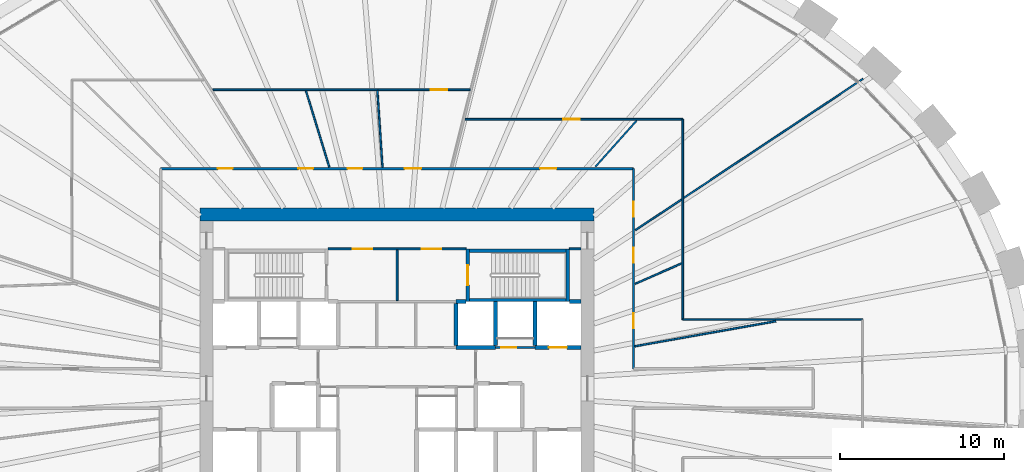
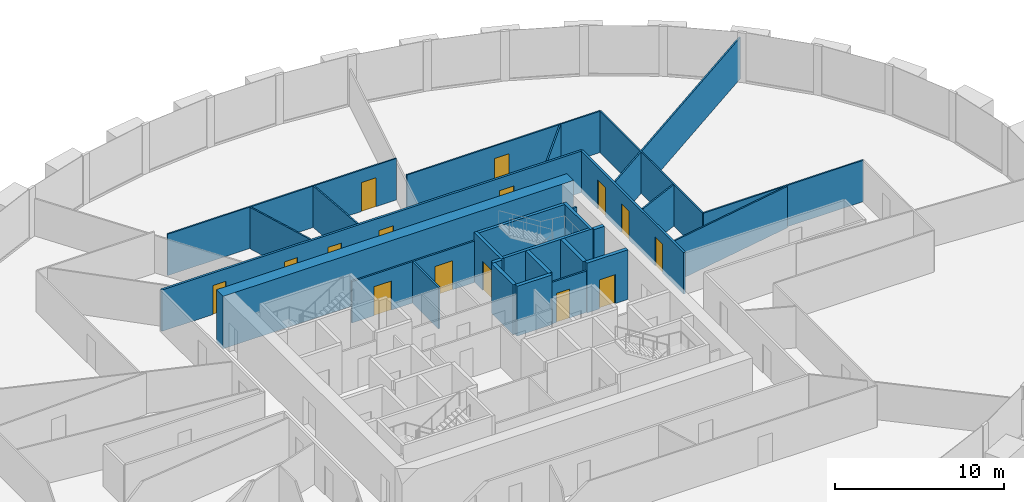
# One storey, part 9 of 11: 28 walls, 15 doors, 15 openings.
"""IFC4 building model written with IfcOpenShell, lengths in metres."""

from ifc_helpers import new_model, si_unit, direction, frame, frame_2d, origin, place, context, subcontext, project, spatial, rectangle, extrude, source, transform, mapped, material, layer, layer_set, type_object, element, fill, save


model = new_model("IFC4")

# Units and contexts
model_context = context("Model", 3, precision=1e-05, world=origin(), true_north=direction((0.0, 1.0)))
body_context = subcontext(model_context, "Body", "Model", "MODEL_VIEW")
ifc_project = project(units=[si_unit("LENGTHUNIT", "METRE"), si_unit("AREAUNIT", "SQUARE_METRE"), si_unit("VOLUMEUNIT", "CUBIC_METRE"), si_unit("PLANEANGLEUNIT", "RADIAN"), si_unit("MASSUNIT", "GRAM", prefix="KILO")], contexts=[model_context])

# Site, building, storey
site_placement = place(None, origin())
site = spatial("IfcSite", under=ifc_project, at=site_placement, CompositionType="ELEMENT")
building_placement = place(site_placement, origin())
building = spatial("IfcBuilding", under=site, at=building_placement, Name="Embergate Tower", CompositionType="ELEMENT")
storey_placement = place(building_placement, frame((0.0, 0.0, 143.699951171875)))
storey = spatial("IfcBuildingStorey", under=building, at=storey_placement, Name="L31", CompositionType="ELEMENT", Elevation=143.699951171875)

# Walls
ifc_material_1 = material(Name="Concrete C70", Category="concrete")
ifc_layer_1 = layer(ifc_material_1, 0.800048828125)
ifc_layer_set_1 = layer_set([ifc_layer_1], Name="Concrete C70")
wall_type_1 = type_object("IfcWallType", Name="Core outer wall C70 800", PredefinedType="SHEAR", material=ifc_layer_set_1)
shared_shape_1 = source(origin(), body_context, "Body", "SweptSolid", [
    extrude(rectangle(XDim=24.0, YDim=0.800048828125, at=frame_2d((12.0, 0.0))), origin(), (0.0, 0.0, 1.0), 3.800048828125),
])
wall_1_placement = place(storey_placement, frame((-12.0, 10.60009765625, -0.199951171875), z_axis=(0.0, 0.0, 1.0), x_axis=(1.0, 0.0, 0.0)))
element("IfcWall", 1, at=wall_1_placement, inside=storey, type_object=wall_type_1, Name="CW-L31-N", PredefinedType="SHEAR", context=body_context, shape_type="MappedRepresentation", body=[
    mapped(shared_shape_1, transform((0.0, 0.0, 0.0))),
])
ifc_material_2 = material(Name="Concrete C50", Category="concrete")
ifc_layer_2 = layer(ifc_material_2, 0.25)
ifc_layer_set_2 = layer_set([ifc_layer_2], Name="Concrete C50")
wall_type_2 = type_object("IfcWallType", Name="Hoistway wall reinforced concrete 250", PredefinedType="SHEAR", material=ifc_layer_set_2)
shared_shape_2 = source(origin(), body_context, "Body", "SweptSolid", [
    extrude(rectangle(XDim=2.675048828125, YDim=0.25, at=frame_2d((1.33740234375, 0.0))), origin(), (0.0, 0.0, 1.0), 3.60009765625),
])
for number, where, z_axis, x_axis, name in (
    (2, (6.0, 2.625, 0.0), (0.0, 0.0, 1.0), (0.0, 1.0, 0.0), "HW-1 wall"),
    (3, (8.39990234375, 2.625, 0.0), (0.0, 0.0, 1.0), (0.0, 1.0, 0.0), "HW-1 wall"),
):
    element("IfcWall", number, at=place(storey_placement, frame(where, z_axis=z_axis, x_axis=x_axis)), inside=storey, type_object=wall_type_2, Name=name, PredefinedType="SHEAR", context=body_context, shape_type="MappedRepresentation", body=[
        mapped(shared_shape_2, transform((0.0, 0.0, 0.0))),
    ])
ifc_layer_3 = layer(ifc_material_2, 0.199951171875)
ifc_layer_set_3 = layer_set([ifc_layer_3], Name="Concrete C50")
wall_type_3 = type_object("IfcWallType", Name="Stair enclosure wall reinforced concrete 250", PredefinedType="SHEAR", material=ifc_layer_set_3)
shared_shape_3 = source(origin(), body_context, "Body", "SweptSolid", [
    extrude(rectangle(XDim=6.300048828125, YDim=0.199951171875, at=frame_2d((3.14990234375, 0.0))), origin(), (0.0, 0.0, 1.0), 3.60009765625),
])
for number, where, z_axis, x_axis, name in (
    (4, (10.5, 5.39990234375, 0.0), (0.0, 0.0, 1.0), (-1.0, 0.0, 0.0), "SE-1 wall"),
    (5, (10.5, 8.39990234375, 0.0), (0.0, 0.0, 1.0), (-1.0, 0.0, 0.0), "SE-1 wall"),
):
    element("IfcWall", number, at=place(storey_placement, frame(where, z_axis=z_axis, x_axis=x_axis)), inside=storey, type_object=wall_type_3, Name=name, PredefinedType="SHEAR", context=body_context, shape_type="MappedRepresentation", body=[
        mapped(shared_shape_3, transform((0.0, 0.0, 0.0))),
    ])
shared_shape_4 = source(origin(), body_context, "Body", "SweptSolid", [
    extrude(rectangle(XDim=2.550048828125, YDim=0.25, at=frame_2d((1.27490234375, 0.0))), origin(), (0.0, 0.0, 1.0), 3.60009765625),
])
wall_2_placement = place(storey_placement, frame((3.60009765625, 5.175048828125, 0.0), z_axis=(0.0, 0.0, 1.0), x_axis=(0.0, -1.0, 0.0)))
element("IfcWall", 6, at=wall_2_placement, inside=storey, type_object=wall_type_2, Name="HW-1 wall", PredefinedType="SHEAR", context=body_context, shape_type="MappedRepresentation", body=[
    mapped(shared_shape_4, transform((0.0, 0.0, 0.0))),
])

# Wall, opening, door
shared_shape_5 = source(origin(), body_context, "Body", "SweptSolid", [
    extrude(rectangle(XDim=3.199951171875, YDim=0.199951171875, at=frame_2d((1.60009765625, 0.0))), origin(), (0.0, 0.0, 1.0), 3.60009765625),
])
wall_3_placement = place(storey_placement, frame((4.300048828125, 8.5, 0.0), z_axis=(0.0, 0.0, 1.0), x_axis=(0.0, -1.0, 0.0)))
wall_3 = element("IfcWall", 7, at=wall_3_placement, inside=storey, type_object=wall_type_3, Name="SE-1 wall", PredefinedType="SHEAR", context=body_context, shape_type="MappedRepresentation", body=[
    mapped(shared_shape_5, transform((0.0, 0.0, 0.0))),
])
shared_shape_6 = source(origin(), body_context, "Body", "SweptSolid", [
    extrude(rectangle(XDim=1.199951171875, YDim=2.10009765625, at=frame_2d((0.60009765625, 1.050048828125))), frame((0.0, 0.10986328125, 0.0), z_axis=(0.0, -1.0, 0.0), x_axis=(1.0, 0.0, 0.0)), (0.0, 0.0, 1.0), 0.219970703125),
])
opening_1_placement = place(wall_3_placement, frame((1.0, 0.0, 0.0)))
opening_1 = element("IfcOpeningElement", 8, at=opening_1_placement, cuts=wall_3, Name="Opening IF-2", PredefinedType="OPENING", context=body_context, shape_type="MappedRepresentation", body=[
    mapped(shared_shape_6, transform((0.0, 0.0, 0.0))),
])
ifc_material_3 = material(Name="Stair enclosure door 1200")
door_type_1 = type_object("IfcDoorType", Name="Stair enclosure door 1200", OperationType="SINGLE_SWING_LEFT", PredefinedType="DOOR", material=ifc_material_3)
shared_shape_7 = source(origin(), body_context, "Body", "SweptSolid", [
    extrude(rectangle(XDim=1.199951171875, YDim=2.10009765625, at=frame_2d((0.60009765625, 1.050048828125))), frame((0.0, 0.02490234375, 0.0), z_axis=(0.0, -1.0, 0.0), x_axis=(1.0, 0.0, 0.0)), (0.0, 0.0, 1.0), 0.050048828125),
])
door_1_placement = place(opening_1_placement, origin())
door_1 = element("IfcDoor", 9, at=door_1_placement, inside=storey, type_object=door_type_1, Name="IF-2 door", OperationType="SINGLE_SWING_LEFT", OverallHeight=2.10009765625, OverallWidth=1.199951171875, PredefinedType="DOOR", context=body_context, shape_type="MappedRepresentation", body=[
    mapped(shared_shape_7, transform((0.0, 0.0, 0.0))),
])
fill(opening_1, door_1)

# Wall
shared_shape_8 = source(origin(), body_context, "Body", "SweptSolid", [
    extrude(rectangle(XDim=2.39990234375, YDim=0.25, at=frame_2d((1.199951171875, 0.0))), origin(), (0.0, 0.0, 1.0), 3.60009765625),
])
wall_4_placement = place(storey_placement, frame((3.60009765625, 2.5, 0.0), z_axis=(0.0, 0.0, 1.0), x_axis=(1.0, 0.0, 0.0)))
element("IfcWall", 10, at=wall_4_placement, inside=storey, type_object=wall_type_2, Name="HW-1 wall", PredefinedType="SHEAR", context=body_context, shape_type="MappedRepresentation", body=[
    mapped(shared_shape_8, transform((0.0, 0.0, 0.0))),
])

# Wall, openings, doors
ifc_material_4 = material(Name="Core partition blockwork 120")
ifc_layer_4 = layer(ifc_material_4, 0.1201171875)
ifc_layer_set_4 = layer_set([ifc_layer_4], Name="Core partition blockwork 120")
wall_type_4 = type_object("IfcWallType", Name="Core partition blockwork 120", PredefinedType="PARTITIONING", material=ifc_layer_set_4)
shared_shape_9 = source(origin(), body_context, "Body", "SweptSolid", [
    extrude(rectangle(XDim=8.39990234375, YDim=0.1201171875, at=frame_2d((4.199951171875, 0.0))), origin(), (0.0, 0.0, 1.0), 3.0),
])
wall_5_placement = place(storey_placement, frame((4.199951171875, 8.5, 0.0), z_axis=(0.0, 0.0, 1.0), x_axis=(-1.0, 0.0, 0.0)))
wall_5 = element("IfcWall", 11, at=wall_5_placement, inside=storey, type_object=wall_type_4, Name="IP-3 wall", PredefinedType="PARTITIONING", context=body_context, shape_type="MappedRepresentation", body=[
    mapped(shared_shape_9, transform((0.0, 0.0, 0.0))),
])
shared_shape_10 = source(origin(), body_context, "Body", "SweptSolid", [
    extrude(rectangle(XDim=1.199951171875, YDim=2.10009765625, at=frame_2d((0.60009765625, 1.050048828125))), frame((0.0, 0.070068359375, 0.0), z_axis=(0.0, -1.0, 0.0), x_axis=(1.0, 0.0, 0.0)), (0.0, 0.0, 1.0), 0.14013671875),
])
opening_2_placement = place(wall_5_placement, frame((5.699951171875, 0.0, 0.0)))
opening_2 = element("IfcOpeningElement", 12, at=opening_2_placement, cuts=wall_5, Name="Opening IF-3f", PredefinedType="OPENING", context=body_context, shape_type="MappedRepresentation", body=[
    mapped(shared_shape_10, transform((0.0, 0.0, 0.0))),
])
opening_3_placement = place(wall_5_placement, frame((1.5, 0.0, 0.0)))
opening_3 = element("IfcOpeningElement", 13, at=opening_3_placement, cuts=wall_5, Name="Opening IF-3f", PredefinedType="OPENING", context=body_context, shape_type="MappedRepresentation", body=[
    mapped(shared_shape_10, transform((0.0, 0.0, 0.0))),
])
ifc_material_5 = material(Name="Lobby fire door pair 1200")
door_type_2 = type_object("IfcDoorType", Name="Lobby fire door pair 1200", OperationType="DOUBLE_DOOR_SINGLE_SWING", PredefinedType="DOOR", material=ifc_material_5)
door_2_placement = place(opening_2_placement, origin())
door_2 = element("IfcDoor", 14, at=door_2_placement, inside=storey, type_object=door_type_2, Name="IF-3 door", OperationType="DOUBLE_DOOR_SINGLE_SWING", OverallHeight=2.10009765625, OverallWidth=1.199951171875, PredefinedType="DOOR", context=body_context, shape_type="MappedRepresentation", body=[
    mapped(shared_shape_7, transform((0.0, 0.0, 0.0))),
])
fill(opening_2, door_2)
door_3_placement = place(opening_3_placement, origin())
door_3 = element("IfcDoor", 15, at=door_3_placement, inside=storey, type_object=door_type_2, Name="IF-3 door", OperationType="DOUBLE_DOOR_SINGLE_SWING", OverallHeight=2.10009765625, OverallWidth=1.199951171875, PredefinedType="DOOR", context=body_context, shape_type="MappedRepresentation", body=[
    mapped(shared_shape_7, transform((0.0, 0.0, 0.0))),
])
fill(opening_3, door_3)

ifc_material_6 = material(Name="Corridor wall dry-lined 150 wet")
ifc_layer_5 = layer(ifc_material_6, 0.14990234375)
ifc_layer_set_5 = layer_set([ifc_layer_5], Name="Corridor wall dry-lined 150 wet")
wall_type_5 = type_object("IfcWallType", Name="Corridor wall dry-lined 150 wet", PredefinedType="PLUMBINGWALL", material=ifc_layer_set_5)
shared_shape_11 = source(origin(), body_context, "Body", "SweptSolid", [
    extrude(rectangle(XDim=12.199951171875, YDim=0.14990234375, at=frame_2d((6.10009765625, 0.0))), origin(), (0.0, 0.0, 1.0), 3.0),
])
wall_6_placement = place(storey_placement, frame((14.39990234375, 1.199951171875, 0.0), z_axis=(0.0, 0.0, 1.0), x_axis=(0.0, 1.0, 0.0)))
wall_6 = element("IfcWall", 16, at=wall_6_placement, inside=storey, type_object=wall_type_5, Name="IP-2 wall", PredefinedType="PLUMBINGWALL", context=body_context, shape_type="MappedRepresentation", body=[
    mapped(shared_shape_11, transform((0.0, 0.0, 0.0))),
])
shared_shape_12 = source(origin(), body_context, "Body", "SweptSolid", [
    extrude(rectangle(XDim=0.89990234375, YDim=2.10009765625, at=frame_2d((0.449951171875, 1.050048828125))), frame((0.0, 0.0849609375, 0.0), z_axis=(0.0, -1.0, 0.0), x_axis=(1.0, 0.0, 0.0)), (0.0, 0.0, 1.0), 0.169921875),
])
opening_4_placement = place(wall_6_placement, frame((2.47802734375, 0.0, 0.0)))
opening_4 = element("IfcOpeningElement", 17, at=opening_4_placement, cuts=wall_6, Name="Opening IF-1c", PredefinedType="OPENING", context=body_context, shape_type="MappedRepresentation", body=[
    mapped(shared_shape_12, transform((0.0, 0.0, 0.0))),
])
opening_5_placement = place(wall_6_placement, frame((6.47705078125, 0.0, 0.0)))
opening_5 = element("IfcOpeningElement", 18, at=opening_5_placement, cuts=wall_6, Name="Opening IF-1c", PredefinedType="OPENING", context=body_context, shape_type="MappedRepresentation", body=[
    mapped(shared_shape_12, transform((0.0, 0.0, 0.0))),
])
opening_6_placement = place(wall_6_placement, frame((9.278076171875, 0.0, 0.0)))
opening_6 = element("IfcOpeningElement", 19, at=opening_6_placement, cuts=wall_6, Name="Opening IF-1c", PredefinedType="OPENING", context=body_context, shape_type="MappedRepresentation", body=[
    mapped(shared_shape_12, transform((0.0, 0.0, 0.0))),
])
ifc_material_7 = material(Name="Escape fire door 900")
door_type_3 = type_object("IfcDoorType", Name="Escape fire door 900", OperationType="SINGLE_SWING_LEFT", PredefinedType="DOOR", material=ifc_material_7)
shared_shape_13 = source(origin(), body_context, "Body", "SweptSolid", [
    extrude(rectangle(XDim=0.89990234375, YDim=2.10009765625, at=frame_2d((0.449951171875, 1.050048828125))), frame((0.0, 0.02490234375, 0.0), z_axis=(0.0, -1.0, 0.0), x_axis=(1.0, 0.0, 0.0)), (0.0, 0.0, 1.0), 0.050048828125),
])
door_4_placement = place(opening_4_placement, origin())
door_4 = element("IfcDoor", 20, at=door_4_placement, inside=storey, type_object=door_type_3, Name="IF-1 door", OperationType="SINGLE_SWING_RIGHT", OverallHeight=2.10009765625, OverallWidth=0.89990234375, PredefinedType="DOOR", context=body_context, shape_type="MappedRepresentation", body=[
    mapped(shared_shape_13, transform((0.0, 0.0, 0.0))),
])
fill(opening_4, door_4)
door_5_placement = place(opening_5_placement, origin())
door_5 = element("IfcDoor", 21, at=door_5_placement, inside=storey, type_object=door_type_3, Name="IF-1 door", OperationType="SINGLE_SWING_RIGHT", OverallHeight=2.10009765625, OverallWidth=0.89990234375, PredefinedType="DOOR", context=body_context, shape_type="MappedRepresentation", body=[
    mapped(shared_shape_13, transform((0.0, 0.0, 0.0))),
])
fill(opening_5, door_5)
door_6_placement = place(opening_6_placement, origin())
door_6 = element("IfcDoor", 22, at=door_6_placement, inside=storey, type_object=door_type_3, Name="IF-1 door", OperationType="SINGLE_SWING_LEFT", OverallHeight=2.10009765625, OverallWidth=0.89990234375, PredefinedType="DOOR", context=body_context, shape_type="MappedRepresentation", body=[
    mapped(shared_shape_13, transform((0.0, 0.0, 0.0))),
])
fill(opening_6, door_6)

ifc_material_8 = material(Name="Corridor wall dry-lined 150")
ifc_layer_6 = layer(ifc_material_8, 0.14990234375)
ifc_layer_set_6 = layer_set([ifc_layer_6], Name="Corridor wall dry-lined 150")
wall_type_6 = type_object("IfcWallType", Name="Corridor wall dry-lined 150", PredefinedType="PARTITIONING", material=ifc_layer_set_6)
shared_shape_14 = source(origin(), body_context, "Body", "SweptSolid", [
    extrude(rectangle(XDim=28.7998046875, YDim=0.14990234375, at=frame_2d((14.39990234375, 0.0))), origin(), (0.0, 0.0, 1.0), 3.0),
])
wall_7_placement = place(storey_placement, frame((-14.39990234375, 13.39990234375, 0.0), z_axis=(0.0, 0.0, 1.0), x_axis=(1.0, 0.0, 0.0)))
wall_7 = element("IfcWall", 23, at=wall_7_placement, inside=storey, type_object=wall_type_6, Name="IP-2 wall", PredefinedType="PARTITIONING", context=body_context, shape_type="MappedRepresentation", body=[
    mapped(shared_shape_14, transform((0.0, 0.0, 0.0))),
])
shared_shape_15 = source(origin(), body_context, "Body", "SweptSolid", [
    extrude(rectangle(XDim=1.0, YDim=2.10009765625, at=frame_2d((0.5, 1.050048828125))), frame((0.0, 0.0849609375, 0.0), z_axis=(0.0, -1.0, 0.0), x_axis=(1.0, 0.0, 0.0)), (0.0, 0.0, 1.0), 0.169921875),
])
opening_7_placement = place(wall_7_placement, frame((23.10791015625, 0.0, 0.0)))
opening_7 = element("IfcOpeningElement", 24, at=opening_7_placement, cuts=wall_7, Name="Opening ID-2", PredefinedType="OPENING", context=body_context, shape_type="MappedRepresentation", body=[
    mapped(shared_shape_15, transform((0.0, 0.0, 0.0))),
])
opening_8_placement = place(wall_7_placement, frame((14.862060546875, 0.0, 0.0)))
opening_8 = element("IfcOpeningElement", 25, at=opening_8_placement, cuts=wall_7, Name="Opening ID-2", PredefinedType="OPENING", context=body_context, shape_type="MappedRepresentation", body=[
    mapped(shared_shape_15, transform((0.0, 0.0, 0.0))),
])
opening_9_placement = place(wall_7_placement, frame((11.388916015625, 0.0, 0.0)))
opening_9 = element("IfcOpeningElement", 26, at=opening_9_placement, cuts=wall_7, Name="Opening IF-1c", PredefinedType="OPENING", context=body_context, shape_type="MappedRepresentation", body=[
    mapped(shared_shape_12, transform((0.0, 0.0, 0.0))),
])
opening_10_placement = place(wall_7_placement, frame((8.39111328125, 0.0, 0.0)))
opening_10 = element("IfcOpeningElement", 27, at=opening_10_placement, cuts=wall_7, Name="Opening IF-1c", PredefinedType="OPENING", context=body_context, shape_type="MappedRepresentation", body=[
    mapped(shared_shape_12, transform((0.0, 0.0, 0.0))),
])
opening_11_placement = place(wall_7_placement, frame((3.488037109375, 0.0, 0.0)))
opening_11 = element("IfcOpeningElement", 28, at=opening_11_placement, cuts=wall_7, Name="Opening IF-1c", PredefinedType="OPENING", context=body_context, shape_type="MappedRepresentation", body=[
    mapped(shared_shape_12, transform((0.0, 0.0, 0.0))),
])
door_7_placement = place(opening_9_placement, origin())
door_7 = element("IfcDoor", 29, at=door_7_placement, inside=storey, type_object=door_type_3, Name="IF-1 door", OperationType="SINGLE_SWING_RIGHT", OverallHeight=2.10009765625, OverallWidth=0.89990234375, PredefinedType="DOOR", context=body_context, shape_type="MappedRepresentation", body=[
    mapped(shared_shape_13, transform((0.0, 0.0, 0.0))),
])
fill(opening_9, door_7)
door_8_placement = place(opening_10_placement, origin())
door_8 = element("IfcDoor", 30, at=door_8_placement, inside=storey, type_object=door_type_3, Name="IF-1 door", OperationType="SINGLE_SWING_RIGHT", OverallHeight=2.10009765625, OverallWidth=0.89990234375, PredefinedType="DOOR", context=body_context, shape_type="MappedRepresentation", body=[
    mapped(shared_shape_13, transform((0.0, 0.0, 0.0))),
])
fill(opening_10, door_8)
door_9_placement = place(opening_11_placement, origin())
door_9 = element("IfcDoor", 31, at=door_9_placement, inside=storey, type_object=door_type_3, Name="IF-1 door", OperationType="SINGLE_SWING_LEFT", OverallHeight=2.10009765625, OverallWidth=0.89990234375, PredefinedType="DOOR", context=body_context, shape_type="MappedRepresentation", body=[
    mapped(shared_shape_13, transform((0.0, 0.0, 0.0))),
])
fill(opening_11, door_9)
ifc_material_9 = material(Name="Interior door 1000")
door_type_4 = type_object("IfcDoorType", Name="Interior door 1000", OperationType="SINGLE_SWING_LEFT", PredefinedType="DOOR", material=ifc_material_9)
shared_shape_16 = source(origin(), body_context, "Body", "SweptSolid", [
    extrude(rectangle(XDim=1.0, YDim=2.10009765625, at=frame_2d((0.5, 1.050048828125))), frame((0.0, 0.02490234375, 0.0), z_axis=(0.0, -1.0, 0.0), x_axis=(1.0, 0.0, 0.0)), (0.0, 0.0, 1.0), 0.050048828125),
])
door_10_placement = place(opening_7_placement, origin())
door_10 = element("IfcDoor", 32, at=door_10_placement, inside=storey, type_object=door_type_4, Name="ID-2 door", OperationType="SINGLE_SWING_LEFT", OverallHeight=2.10009765625, OverallWidth=1.0, PredefinedType="DOOR", context=body_context, shape_type="MappedRepresentation", body=[
    mapped(shared_shape_16, transform((0.0, 0.0, 0.0))),
])
fill(opening_7, door_10)
door_11_placement = place(opening_8_placement, origin())
door_11 = element("IfcDoor", 33, at=door_11_placement, inside=storey, type_object=door_type_4, Name="ID-2 door", OperationType="SINGLE_SWING_LEFT", OverallHeight=2.10009765625, OverallWidth=1.0, PredefinedType="DOOR", context=body_context, shape_type="MappedRepresentation", body=[
    mapped(shared_shape_16, transform((0.0, 0.0, 0.0))),
])
fill(opening_8, door_11)

# Walls
ifc_material_10 = material(Name="Partition dry-lined 100 wet")
ifc_layer_7 = layer(ifc_material_10, 0.10009765625)
ifc_layer_set_7 = layer_set([ifc_layer_7], Name="Partition dry-lined 100 wet")
wall_type_7 = type_object("IfcWallType", Name="Partition dry-lined 100 wet", PredefinedType="PLUMBINGWALL", material=ifc_layer_set_7)
shared_shape_17 = source(origin(), body_context, "Body", "SweptSolid", [
    extrude(rectangle(XDim=12.199951171875, YDim=0.10009765625, at=frame_2d((6.10009765625, 0.0))), origin(), (0.0, 0.0, 1.0), 3.0),
])
wall_8_placement = place(storey_placement, frame((17.39990234375, 16.39990234375, 0.0), z_axis=(0.0, 0.0, 1.0), x_axis=(0.0, -1.0, 0.0)))
element("IfcWall", 34, at=wall_8_placement, inside=storey, type_object=wall_type_7, Name="IP-1 wall", PredefinedType="PLUMBINGWALL", context=body_context, shape_type="MappedRepresentation", body=[
    mapped(shared_shape_17, transform((0.0, 0.0, 0.0))),
])
shared_shape_18 = source(origin(), body_context, "Body", "SweptSolid", [
    extrude(rectangle(XDim=10.9501953125, YDim=0.10009765625, at=frame_2d((5.47509765625, 0.0))), origin(), (0.0, 0.0, 1.0), 3.0),
])
wall_9_placement = place(storey_placement, frame((17.39990234375, 4.199951171875, 0.0), z_axis=(0.0, 0.0, 1.0), x_axis=(1.0, 0.0, 0.0)))
element("IfcWall", 35, at=wall_9_placement, inside=storey, type_object=wall_type_7, Name="IP-1 wall", PredefinedType="PLUMBINGWALL", context=body_context, shape_type="MappedRepresentation", body=[
    mapped(shared_shape_18, transform((0.0, 0.0, 0.0))),
])
shared_shape_19 = source(origin(), body_context, "Body", "SweptSolid", [
    extrude(rectangle(XDim=8.7197265625, YDim=0.10009765625, at=frame_2d((4.35986328125, 0.0))), origin(), (0.0, 0.0, 1.0), 3.0),
])
wall_10_placement = place(storey_placement, frame((23.069091796875, 4.10107421875, 0.0), z_axis=(0.0, 0.0, 1.0), x_axis=(-0.98456518823, -0.175018256551, 0.0)))
element("IfcWall", 36, at=wall_10_placement, inside=storey, type_object=wall_type_7, Name="IP-1 wall", PredefinedType="PLUMBINGWALL", context=body_context, shape_type="MappedRepresentation", body=[
    mapped(shared_shape_19, transform((0.0, 0.0, 0.0))),
])
shared_shape_20 = source(origin(), body_context, "Body", "SweptSolid", [
    extrude(rectangle(XDim=3.0966796875, YDim=0.10009765625, at=frame_2d((1.54833984375, 0.0))), origin(), (0.0, 0.0, 1.0), 3.0),
])
wall_11_placement = place(storey_placement, frame((14.4951171875, 6.3759765625, 0.0), z_axis=(0.0, 0.0, 1.0), x_axis=(0.915468415007, 0.402389837254, 0.0)))
element("IfcWall", 37, at=wall_11_placement, inside=storey, type_object=wall_type_7, Name="IP-1 wall", PredefinedType="PLUMBINGWALL", context=body_context, shape_type="MappedRepresentation", body=[
    mapped(shared_shape_20, transform((0.0, 0.0, 0.0))),
])
shared_shape_21 = source(origin(), body_context, "Body", "SweptSolid", [
    extrude(rectangle(XDim=16.65625, YDim=0.10009765625, at=frame_2d((8.328125, 0.0))), origin(), (0.0, 0.0, 1.0), 3.0),
])
wall_12_placement = place(storey_placement, frame((14.5029296875, 9.64111328125, 0.0), z_axis=(0.0, 0.0, 1.0), x_axis=(0.832782444817, 0.553600397041, 0.0)))
element("IfcWall", 38, at=wall_12_placement, inside=storey, type_object=wall_type_7, Name="IP-1 wall", PredefinedType="PLUMBINGWALL", context=body_context, shape_type="MappedRepresentation", body=[
    mapped(shared_shape_21, transform((0.0, 0.0, 0.0))),
])
ifc_material_11 = material(Name="Partition dry-lined 100")
ifc_layer_8 = layer(ifc_material_11, 0.10009765625)
ifc_layer_set_8 = layer_set([ifc_layer_8], Name="Partition dry-lined 100")
wall_type_8 = type_object("IfcWallType", Name="Partition dry-lined 100", PredefinedType="PARTITIONING", material=ifc_layer_set_8)
shared_shape_22 = source(origin(), body_context, "Body", "SweptSolid", [
    extrude(rectangle(XDim=3.767578125, YDim=0.10009765625, at=frame_2d((1.8837890625, 0.0))), origin(), (0.0, 0.0, 1.0), 3.0),
])
wall_13_placement = place(storey_placement, frame((14.591064453125, 16.31689453125, 0.0), z_axis=(0.0, 0.0, 1.0), x_axis=(-0.666472788757, -0.745529356797, 0.0)))
element("IfcWall", 39, at=wall_13_placement, inside=storey, type_object=wall_type_8, Name="IP-1 wall", PredefinedType="PARTITIONING", context=body_context, shape_type="MappedRepresentation", body=[
    mapped(shared_shape_22, transform((0.0, 0.0, 0.0))),
])

# Wall, opening, door
shared_shape_23 = source(origin(), body_context, "Body", "SweptSolid", [
    extrude(rectangle(XDim=13.260986328125, YDim=0.10009765625, at=frame_2d((6.63037109375, 0.0))), origin(), (0.0, 0.0, 1.0), 3.0),
])
wall_14_placement = place(storey_placement, frame((4.138916015625, 16.39990234375, 0.0), z_axis=(0.0, 0.0, 1.0), x_axis=(1.0, 0.0, 0.0)))
wall_14 = element("IfcWall", 40, at=wall_14_placement, inside=storey, type_object=wall_type_8, Name="IP-1 wall", PredefinedType="PARTITIONING", context=body_context, shape_type="MappedRepresentation", body=[
    mapped(shared_shape_23, transform((0.0, 0.0, 0.0))),
])
shared_shape_24 = source(origin(), body_context, "Body", "SweptSolid", [
    extrude(rectangle(XDim=1.0, YDim=2.10009765625, at=frame_2d((0.5, 1.050048828125))), frame((0.0, 0.06005859375, 0.0), z_axis=(0.0, -1.0, 0.0), x_axis=(1.0, 0.0, 0.0)), (0.0, 0.0, 1.0), 0.1201171875),
])
opening_12_placement = place(wall_14_placement, frame((5.990478515625, 0.0, 0.0)))
opening_12 = element("IfcOpeningElement", 41, at=opening_12_placement, cuts=wall_14, Name="Opening ID-2", PredefinedType="OPENING", context=body_context, shape_type="MappedRepresentation", body=[
    mapped(shared_shape_24, transform((0.0, 0.0, 0.0))),
])
door_12_placement = place(opening_12_placement, origin())
door_12 = element("IfcDoor", 42, at=door_12_placement, inside=storey, type_object=door_type_4, Name="ID-2 door", OperationType="SINGLE_SWING_LEFT", OverallHeight=2.10009765625, OverallWidth=1.0, PredefinedType="DOOR", context=body_context, shape_type="MappedRepresentation", body=[
    mapped(shared_shape_16, transform((0.0, 0.0, 0.0))),
])
fill(opening_12, door_12)

# Wall
shared_shape_25 = source(origin(), body_context, "Body", "SweptSolid", [
    extrude(rectangle(XDim=4.68505859375, YDim=0.10009765625, at=frame_2d((2.342529296875, 0.0))), origin(), (0.0, 0.0, 1.0), 3.0),
])
wall_15_placement = place(storey_placement, frame((-0.887939453125, 13.47509765625, 0.0), z_axis=(0.0, 0.0, 1.0), x_axis=(-0.06597252678, 0.997821439793, 0.0)))
element("IfcWall", 43, at=wall_15_placement, inside=storey, type_object=wall_type_8, Name="IP-1 wall", PredefinedType="PARTITIONING", context=body_context, shape_type="MappedRepresentation", body=[
    mapped(shared_shape_25, transform((0.0, 0.0, 0.0))),
])

# Wall, opening, door
shared_shape_26 = source(origin(), body_context, "Body", "SweptSolid", [
    extrude(rectangle(XDim=15.677001953125, YDim=0.10009765625, at=frame_2d((7.83837890625, 0.0))), origin(), (0.0, 0.0, 1.0), 3.0),
])
wall_16_placement = place(storey_placement, frame((-11.218994140625, 18.199951171875, 0.0), z_axis=(0.0, 0.0, 1.0), x_axis=(1.0, 0.0, 0.0)))
wall_16 = element("IfcWall", 44, at=wall_16_placement, inside=storey, type_object=wall_type_8, Name="IP-1 wall", PredefinedType="PARTITIONING", context=body_context, shape_type="MappedRepresentation", body=[
    mapped(shared_shape_26, transform((0.0, 0.0, 0.0))),
])
opening_13_placement = place(wall_16_placement, frame((13.286865234375, 0.0, 0.0)))
opening_13 = element("IfcOpeningElement", 45, at=opening_13_placement, cuts=wall_16, Name="Opening ID-2", PredefinedType="OPENING", context=body_context, shape_type="MappedRepresentation", body=[
    mapped(shared_shape_24, transform((0.0, 0.0, 0.0))),
])
door_13_placement = place(opening_13_placement, origin())
door_13 = element("IfcDoor", 46, at=door_13_placement, inside=storey, type_object=door_type_4, Name="ID-2 door", OperationType="SINGLE_SWING_LEFT", OverallHeight=2.10009765625, OverallWidth=1.0, PredefinedType="DOOR", context=body_context, shape_type="MappedRepresentation", body=[
    mapped(shared_shape_16, transform((0.0, 0.0, 0.0))),
])
fill(opening_13, door_13)

# Wall
shared_shape_27 = source(origin(), body_context, "Body", "SweptSolid", [
    extrude(rectangle(XDim=4.857666015625, YDim=0.10009765625, at=frame_2d((2.4287109375, 0.0))), origin(), (0.0, 0.0, 1.0), 3.0),
])
wall_17_placement = place(storey_placement, frame((-4.1279296875, 13.489990234375, 0.0), z_axis=(0.0, 0.0, 1.0), x_axis=(-0.292563278006, 0.956246165149, 0.0)))
element("IfcWall", 47, at=wall_17_placement, inside=storey, type_object=wall_type_8, Name="IP-1 wall", PredefinedType="PARTITIONING", context=body_context, shape_type="MappedRepresentation", body=[
    mapped(shared_shape_27, transform((0.0, 0.0, 0.0))),
])

# Wall, opening, door
shared_shape_28 = source(origin(), body_context, "Body", "SweptSolid", [
    extrude(rectangle(XDim=2.800048828125, YDim=0.25, at=frame_2d((1.39990234375, 0.0))), origin(), (0.0, 0.0, 1.0), 3.60009765625),
])
wall_18_placement = place(storey_placement, frame((8.39990234375, 2.5, 0.0), z_axis=(0.0, 0.0, 1.0), x_axis=(1.0, 0.0, 0.0)))
wall_18 = element("IfcWall", 48, at=wall_18_placement, inside=storey, type_object=wall_type_2, Name="HW-1 wall", PredefinedType="SHEAR", context=body_context, shape_type="MappedRepresentation", body=[
    mapped(shared_shape_28, transform((0.0, 0.0, 0.0))),
])
shared_shape_29 = source(origin(), body_context, "Body", "SweptSolid", [
    extrude(rectangle(XDim=1.10009765625, YDim=2.10009765625, at=frame_2d((0.550048828125, 1.050048828125))), frame((0.0, 0.135009765625, 0.0), z_axis=(0.0, -1.0, 0.0), x_axis=(1.0, 0.0, 0.0)), (0.0, 0.0, 1.0), 0.27001953125),
])
opening_14_placement = place(wall_18_placement, frame((0.85009765625, 0.0, 0.0)))
opening_14 = element("IfcOpeningElement", 49, at=opening_14_placement, cuts=wall_18, Name="Opening LD", PredefinedType="OPENING", context=body_context, shape_type="MappedRepresentation", body=[
    mapped(shared_shape_29, transform((0.0, 0.0, 0.0))),
])
ifc_material_12 = material(Name="Landing door sliding 1100")
door_type_5 = type_object("IfcDoorType", Name="Landing door sliding 1100", OperationType="SLIDING_TO_LEFT", PredefinedType="DOOR", material=ifc_material_12)
shared_shape_30 = source(origin(), body_context, "Body", "SweptSolid", [
    extrude(rectangle(XDim=1.10009765625, YDim=2.10009765625, at=frame_2d((0.550048828125, 1.050048828125))), frame((0.0, 0.02490234375, 0.0), z_axis=(0.0, -1.0, 0.0), x_axis=(1.0, 0.0, 0.0)), (0.0, 0.0, 1.0), 0.050048828125),
])
door_14_placement = place(opening_14_placement, origin())
door_14 = element("IfcDoor", 50, at=door_14_placement, inside=storey, type_object=door_type_5, Name="LD door", OperationType="SLIDING_TO_LEFT", OverallHeight=2.10009765625, OverallWidth=1.10009765625, PredefinedType="DOOR", context=body_context, shape_type="MappedRepresentation", body=[
    mapped(shared_shape_30, transform((0.0, 0.0, 0.0))),
])
fill(opening_14, door_14)

shared_shape_31 = source(origin(), body_context, "Body", "SweptSolid", [
    extrude(rectangle(XDim=2.39990234375, YDim=0.1201171875, at=frame_2d((1.199951171875, 0.0))), origin(), (0.0, 0.0, 1.0), 3.0),
])
wall_19_placement = place(storey_placement, frame((6.0, 2.5, 0.0), z_axis=(0.0, 0.0, 1.0), x_axis=(1.0, 0.0, 0.0)))
wall_19 = element("IfcWall", 51, at=wall_19_placement, inside=storey, type_object=wall_type_4, Name="IP-3 wall", PredefinedType="PARTITIONING", context=body_context, shape_type="MappedRepresentation", body=[
    mapped(shared_shape_31, transform((0.0, 0.0, 0.0))),
])
shared_shape_32 = source(origin(), body_context, "Body", "SweptSolid", [
    extrude(rectangle(XDim=0.89990234375, YDim=2.10009765625, at=frame_2d((0.449951171875, 1.050048828125))), frame((0.0, 0.070068359375, 0.0), z_axis=(0.0, -1.0, 0.0), x_axis=(1.0, 0.0, 0.0)), (0.0, 0.0, 1.0), 0.14013671875),
])
opening_15_placement = place(wall_19_placement, frame((0.35009765625, 0.0, 0.0)))
opening_15 = element("IfcOpeningElement", 52, at=opening_15_placement, cuts=wall_19, Name="Opening ID-1", PredefinedType="OPENING", context=body_context, shape_type="MappedRepresentation", body=[
    mapped(shared_shape_32, transform((0.0, 0.0, 0.0))),
])
ifc_material_13 = material(Name="Interior door 900")
door_type_6 = type_object("IfcDoorType", Name="Interior door 900", OperationType="SINGLE_SWING_LEFT", PredefinedType="DOOR", material=ifc_material_13)
door_15_placement = place(opening_15_placement, origin())
door_15 = element("IfcDoor", 53, at=door_15_placement, inside=storey, type_object=door_type_6, Name="ID-1 door", OperationType="SINGLE_SWING_RIGHT", OverallHeight=2.10009765625, OverallWidth=0.89990234375, PredefinedType="DOOR", context=body_context, shape_type="MappedRepresentation", body=[
    mapped(shared_shape_13, transform((0.0, 0.0, 0.0))),
])
fill(opening_15, door_15)

# Walls
shared_shape_33 = source(origin(), body_context, "Body", "SweptSolid", [
    extrude(rectangle(XDim=0.599853515625, YDim=0.25, at=frame_2d((0.2998046875, 0.0))), origin(), (0.0, 0.0, 1.0), 3.60009765625),
])
wall_20_placement = place(storey_placement, frame((4.199951171875, 5.300048828125, 0.0), z_axis=(0.0, 0.0, 1.0), x_axis=(-1.0, 0.0, 0.0)))
element("IfcWall", 54, at=wall_20_placement, inside=storey, type_object=wall_type_2, Name="HW-1 wall", PredefinedType="SHEAR", context=body_context, shape_type="MappedRepresentation", body=[
    mapped(shared_shape_33, transform((0.0, 0.0, 0.0))),
])
shared_shape_34 = source(origin(), body_context, "Body", "SweptSolid", [
    extrude(rectangle(XDim=3.079833984375, YDim=0.1201171875, at=frame_2d((1.5400390625, 0.0))), origin(), (0.0, 0.0, 1.0), 3.0),
])
wall_21_placement = place(storey_placement, frame((0.0, 5.360107421875, 0.0), z_axis=(0.0, 0.0, 1.0), x_axis=(0.0, 1.0, 0.0)))
element("IfcWall", 55, at=wall_21_placement, inside=storey, type_object=wall_type_4, Name="IP-3 wall", PredefinedType="PARTITIONING", context=body_context, shape_type="MappedRepresentation", body=[
    mapped(shared_shape_34, transform((0.0, 0.0, 0.0))),
])
shared_shape_35 = source(origin(), body_context, "Body", "SweptSolid", [
    extrude(rectangle(XDim=3.196044921875, YDim=0.199951171875, at=frame_2d((1.59814453125, 0.0))), origin(), (0.0, 0.0, 1.0), 3.60009765625),
])
wall_22_placement = place(storey_placement, frame((10.39990234375, 5.302001953125, 0.0), z_axis=(0.0, 0.0, 1.0), x_axis=(0.0, 1.0, 0.0)))
element("IfcWall", 56, at=wall_22_placement, inside=storey, type_object=wall_type_3, Name="SE-1 wall", PredefinedType="SHEAR", context=body_context, shape_type="MappedRepresentation", body=[
    mapped(shared_shape_35, transform((0.0, 0.0, 0.0))),
])
shared_shape_36 = source(origin(), body_context, "Body", "SweptSolid", [
    extrude(rectangle(XDim=0.697998046875, YDim=0.25, at=frame_2d((0.34912109375, 0.0))), origin(), (0.0, 0.0, 1.0), 3.60009765625),
])
wall_23_placement = place(storey_placement, frame((11.199951171875, 5.300048828125, 0.0), z_axis=(0.0, 0.0, 1.0), x_axis=(-1.0, 0.0, 0.0)))
element("IfcWall", 57, at=wall_23_placement, inside=storey, type_object=wall_type_2, Name="HW-1 wall", PredefinedType="SHEAR", context=body_context, shape_type="MappedRepresentation", body=[
    mapped(shared_shape_36, transform((0.0, 0.0, 0.0))),
])
shared_shape_37 = source(origin(), body_context, "Body", "SweptSolid", [
    extrude(rectangle(XDim=0.697998046875, YDim=0.1201171875, at=frame_2d((0.34912109375, 0.0))), origin(), (0.0, 0.0, 1.0), 3.0),
])
wall_24_placement = place(storey_placement, frame((10.501953125, 8.5, 0.0), z_axis=(0.0, 0.0, 1.0), x_axis=(1.0, 0.0, 0.0)))
element("IfcWall", 58, at=wall_24_placement, inside=storey, type_object=wall_type_4, Name="IP-3 wall", PredefinedType="PARTITIONING", context=body_context, shape_type="MappedRepresentation", body=[
    mapped(shared_shape_37, transform((0.0, 0.0, 0.0))),
])

save(model, "model.ifc")
